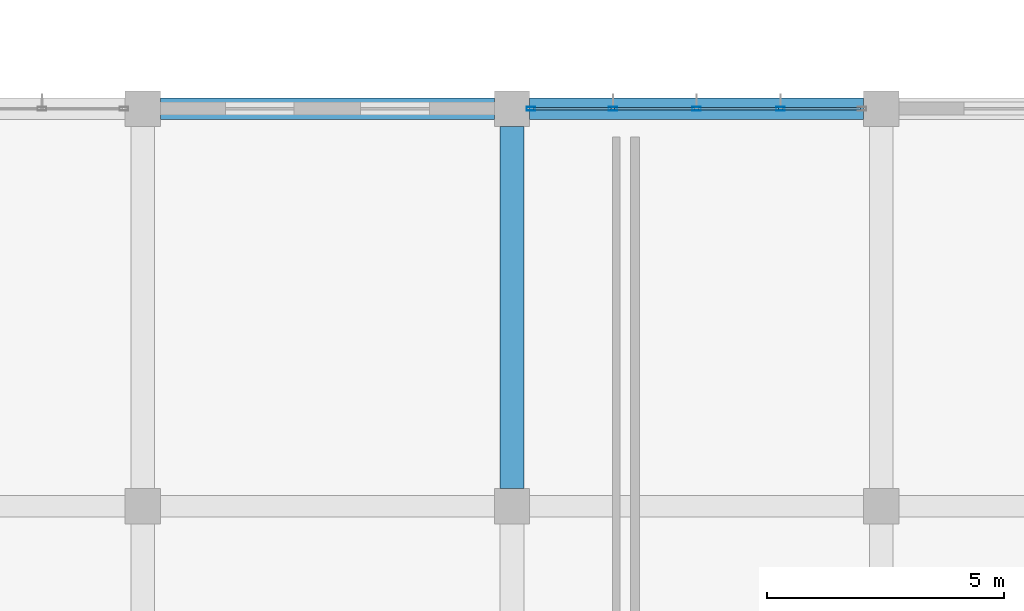
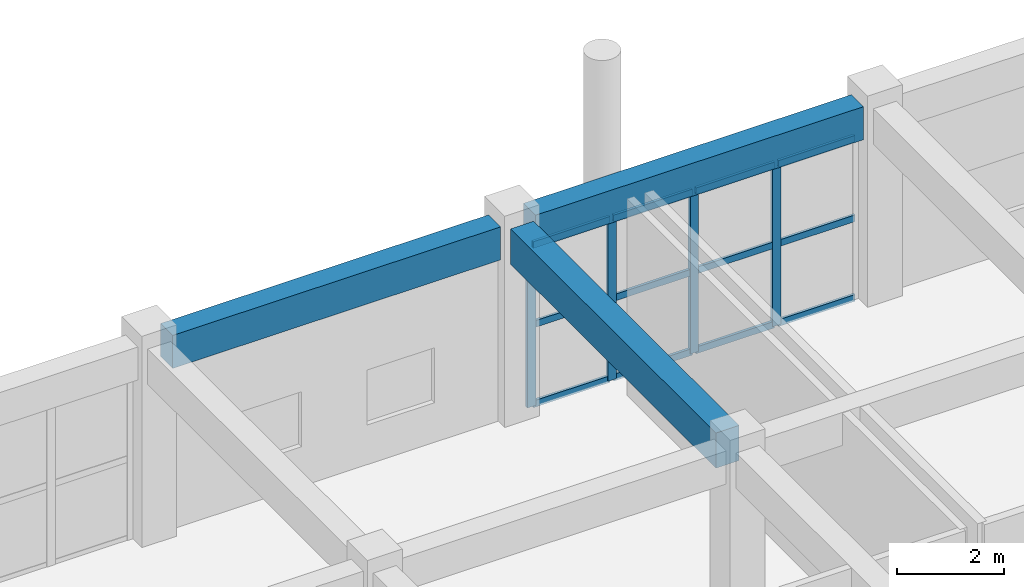
# One storey, part 125 of 175: 16 members, 3 beams, 1 element without a shape of its own.
"""IFC4 building model written with IfcOpenShell, lengths in metres."""

import ifcopenshell
import ifcopenshell.guid

model = None  # the IFC model being written
_history = None  # IfcOwnerHistory: only IFC2X3 demands one
_inside = {}  # id of a spatial element -> (the spatial element, [elements in it])
_under = {}  # id of a project, library or spatial element -> (it, [spatial elements below it])
_declared = {}  # id of a project -> (the project, [libraries it declares])
_typed = {}  # id of a type object -> (the type object, [elements of that type])
_made_of = {}  # id of a material, layer set ... -> (it, [elements and type objects made of it])


def new_model(schema):
    """Start an empty IFC model of exactly this schema.

    Asked for "IFC4X3", IfcOpenShell would pick the latest addendum, in which some entities
    have other attributes; the version numbers below select the first issue.
    IFC2X3 requires an IfcOwnerHistory on every rooted entity: one is made here for all.
    """
    global model, _history
    if schema == "IFC4X3":
        model = ifcopenshell.file(schema_version=(4, 3, 0, 0))
    else:
        model = ifcopenshell.file(schema=schema)
    _inside.clear()
    _under.clear()
    _declared.clear()
    _typed.clear()
    _made_of.clear()
    _history = None
    if model.schema == "IFC2X3":
        org = make("IfcOrganization", Name="unknown")
        user = make(
            "IfcPersonAndOrganization",
            ThePerson=make("IfcPerson", FamilyName="unknown"),
            TheOrganization=org,
        )
        app = make(
            "IfcApplication",
            ApplicationDeveloper=org,
            Version="unknown",
            ApplicationFullName="unknown",
            ApplicationIdentifier="unknown",
        )
        _history = make(
            "IfcOwnerHistory",
            OwningUser=user,
            OwningApplication=app,
            ChangeAction="ADDED",
            CreationDate=0,
        )
    return model


def make(cls, **values):
    """One entity of the class cls with the attributes given. An attribute that is None is left unset."""
    return model.create_entity(
        cls, **{name: value for name, value in values.items() if value is not None}
    )


def rooted(cls, **values):
    """An entity with a GlobalId (a new one), such as an element, a storey or a relation."""
    return make(cls, GlobalId=ifcopenshell.guid.new(), OwnerHistory=_history, **values)


def si_unit(unit_type, name, prefix=None):
    """IfcSIUnit, for example si_unit("LENGTHUNIT", "METRE", prefix="MILLI")."""
    return make("IfcSIUnit", UnitType=unit_type, Prefix=prefix, Name=name)


def assignment(units):
    """IfcUnitAssignment: the units of a project."""
    return None if units is None else make("IfcUnitAssignment", Units=units)


def point(xyz):
    """IfcCartesianPoint."""
    return None if xyz is None else make("IfcCartesianPoint", Coordinates=xyz)


def direction(xyz):
    """IfcDirection."""
    return None if xyz is None else make("IfcDirection", DirectionRatios=xyz)


def frame(location, z_axis=None, x_axis=None):
    """IfcAxis2Placement3D, a coordinate frame: its origin and axes. An axis left out is left unset."""
    return make(
        "IfcAxis2Placement3D",
        Location=point(location),
        Axis=direction(z_axis),
        RefDirection=direction(x_axis),
    )


def frame_2d(location, x_axis=None):
    """IfcAxis2Placement2D, a coordinate frame in the plane: its origin and x axis."""
    return make(
        "IfcAxis2Placement2D", Location=point(location), RefDirection=direction(x_axis)
    )


def origin():
    """The frame at (0, 0, 0) with its axes left unset."""
    return frame((0.0, 0.0, 0.0))


def origin_2d():
    """The frame at (0, 0) in the plane with its x axis left unset."""
    return frame_2d((0.0, 0.0))


def place(relative_to, where):
    """IfcLocalPlacement: puts the frame where relative to a parent placement (None: the world)."""
    return make(
        "IfcLocalPlacement", PlacementRelTo=relative_to, RelativePlacement=where
    )


def context(
    kind, dimensions, precision=None, world=None, true_north=None, identifier=None
):
    """IfcGeometricRepresentationContext, for example the 3D "Model" context."""
    return make(
        "IfcGeometricRepresentationContext",
        ContextIdentifier=identifier,
        ContextType=kind,
        CoordinateSpaceDimension=dimensions,
        Precision=precision,
        WorldCoordinateSystem=world,
        TrueNorth=true_north,
    )


def subcontext(parent, identifier, kind, view, scale=None):
    """IfcGeometricRepresentationSubContext, for example "Body" below "Model"."""
    return make(
        "IfcGeometricRepresentationSubContext",
        ContextIdentifier=identifier,
        ContextType=kind,
        ParentContext=parent,
        TargetScale=scale,
        TargetView=view,
    )


def project(units=None, contexts=None):
    """IfcProject with its units and contexts."""
    return rooted(
        "IfcProject",
        Name="project",
        RepresentationContexts=contexts,
        UnitsInContext=assignment(units),
    )


def spatial(cls, under=None, at=None, **own):
    """A site, building, storey or space (cls), placed at a placement, below another one or the project."""
    s = rooted(cls, ObjectPlacement=at, **own)
    if under is not None:
        _under.setdefault(under.id(), (under, []))[1].append(s)
    return s


def profile(cls, at=None, kind="AREA", **sizes):
    """A parametric profile (cls). Its sizes go by their IFC names, for example OverallWidth=200.0."""
    return make(cls, ProfileType=kind, Position=at, **sizes)


def rectangle(**sizes):
    """IfcRectangleProfileDef."""
    return profile("IfcRectangleProfileDef", **sizes)


def hollow_rectangle(**sizes):
    """IfcRectangleHollowProfileDef."""
    return profile("IfcRectangleHollowProfileDef", **sizes)


def extrude(swept, where, along, depth):
    """IfcExtrudedAreaSolid: the profile swept, set in the frame where, extruded along a direction by depth."""
    return make(
        "IfcExtrudedAreaSolid",
        SweptArea=swept,
        Position=where,
        ExtrudedDirection=direction(along),
        Depth=depth,
    )


def shape(context_of_items, identifier, shape_type, items):
    """IfcShapeRepresentation: the items that make up one representation, for example the "Body"."""
    return make(
        "IfcShapeRepresentation",
        ContextOfItems=context_of_items,
        RepresentationIdentifier=identifier,
        RepresentationType=shape_type,
        Items=items,
    )


def material(Name=None, Category=None):
    """IfcMaterial."""
    return make("IfcMaterial", Name=Name, Category=Category)


def layer(
    of_material, thickness, ventilated=None, Name=None, Category=None, Priority=None
):
    """IfcMaterialLayer: one layer of a wall or slab, of a material (None: an air gap)."""
    return make(
        "IfcMaterialLayer",
        Material=of_material,
        LayerThickness=thickness,
        IsVentilated=ventilated,
        Name=Name,
        Category=Category,
        Priority=Priority,
    )


def layer_set(layers, Name=None):
    """IfcMaterialLayerSet."""
    return make("IfcMaterialLayerSet", MaterialLayers=layers, LayerSetName=Name)


def material_profile(
    of_material, cross_section, Name=None, Category=None, Priority=None
):
    """IfcMaterialProfile: a cross section and its material."""
    return make(
        "IfcMaterialProfile",
        Name=Name,
        Material=of_material,
        Profile=cross_section,
        Priority=Priority,
        Category=Category,
    )


def profile_set(profiles, Name=None, composite=None):
    """IfcMaterialProfileSet."""
    return make(
        "IfcMaterialProfileSet",
        Name=Name,
        MaterialProfiles=profiles,
        CompositeProfile=composite,
    )


def made_of(thing, what):
    """Note that an element or type object is made of a material, layer set ...; save() writes the relation."""
    if what is not None:
        _made_of.setdefault(what.id(), (what, []))[1].append(thing)
    return thing


def type_object(cls, material=None, **own):
    """A type object (cls), such as IfcWallType, which elements share."""
    return made_of(rooted(cls, **own), material)


def element(
    cls,
    number,
    at=None,
    inside=None,
    cuts=None,
    type_object=None,
    material=None,
    context=None,
    identifier="Body",
    shape_type=None,
    held_by="IfcProductDefinitionShape",
    body=None,
    shapes=None,
    **own,
):
    """One element of the class cls, such as IfcWall. Its Tag is "e" and its number.

    at: its placement. inside: the storey or other place that contains it. cuts: it is an
    opening in that element (IfcRelVoidsElement). A single representation is given by context,
    identifier, shape_type and body (its items); several are given by shapes. held_by: the class
    of the entity that holds the representations. save() writes the other relations.
    """
    e = rooted(cls, Tag="e%d" % number, ObjectPlacement=at, **own)
    if body is not None:
        shapes = [shape(context, identifier, shape_type, body)]
    if shapes is not None:
        e.Representation = make(held_by, Representations=shapes)
    if inside is not None:
        _inside.setdefault(inside.id(), (inside, []))[1].append(e)
    if cuts is not None:
        rooted(
            "IfcRelVoidsElement", RelatingBuildingElement=cuts, RelatedOpeningElement=e
        )
    if type_object is not None:
        _typed.setdefault(type_object.id(), (type_object, []))[1].append(e)
    return made_of(e, material)


def aggregate(whole, parts):
    """IfcRelAggregates: a whole, such as a stair, and the parts it consists of."""
    return rooted("IfcRelAggregates", RelatingObject=whole, RelatedObjects=parts)


def save(model, path):
    """Write the relations noted so far, then the file.

    IfcRelAggregates (storeys below a building ...), IfcRelContainedInSpatialStructure (elements
    in a storey), IfcRelDefinesByType, IfcRelAssociatesMaterial and IfcRelDeclares: one each for
    every whole, place, type object, material and project.
    """
    for whole, parts in _under.values():
        aggregate(whole, parts)
    for where, things in _inside.values():
        rooted(
            "IfcRelContainedInSpatialStructure",
            RelatedElements=things,
            RelatingStructure=where,
        )
    for kind, things in _typed.values():
        rooted("IfcRelDefinesByType", RelatedObjects=things, RelatingType=kind)
    for what, things in _made_of.values():
        rooted("IfcRelAssociatesMaterial", RelatedObjects=things, RelatingMaterial=what)
    for by, libraries in _declared.values():
        rooted("IfcRelDeclares", RelatingContext=by, RelatedDefinitions=libraries)
    model.write(path)


model = new_model("IFC4")

# Units and contexts
model_context = context("Model", 3, precision=1e-05, world=origin(), true_north=direction((0.0, 1.0)))
body_context = subcontext(model_context, "Body", "Model", "MODEL_VIEW")
ifc_project = project(units=[si_unit("LENGTHUNIT", "METRE"), si_unit("AREAUNIT", "SQUARE_METRE"), si_unit("VOLUMEUNIT", "CUBIC_METRE"), si_unit("PLANEANGLEUNIT", "RADIAN"), si_unit("MASSUNIT", "GRAM", prefix="KILO")], contexts=[model_context])

# Site, building, storey
site_placement = place(None, origin())
site = spatial("IfcSite", under=ifc_project, at=site_placement, CompositionType="ELEMENT")
building_placement = place(site_placement, origin())
building = spatial("IfcBuilding", under=site, at=building_placement, Name="Zizhar Promenade General Hospital", CompositionType="ELEMENT")
storey_placement = place(building_placement, frame((0.0, 0.0, 4.800048828125)))
storey = spatial("IfcBuildingStorey", under=building, at=storey_placement, Name="L01", CompositionType="ELEMENT", Elevation=4.800048828125)

# Beams
ifc_material_1 = material(Name="Concrete C35/45", Category="concrete")
ifc_material_profile_1 = material_profile(ifc_material_1, rectangle(XDim=0.449951171875, YDim=0.75, at=origin_2d()))
ifc_profile_set_1 = profile_set([ifc_material_profile_1], Name="Concrete C35/45")
beam_type_1 = type_object("IfcBeamType", Name="BM-RC-450x750", PredefinedType="BEAM", material=ifc_profile_set_1)
for number, where, z_axis, x_axis, name in (
    (1, (78.375, 134.39990234375, 4.094970703125), (1.0, 0.0, 0.0), (0.0, 1.0, 0.0), "Grid Beam X L01 (10-16)"),
    (2, (86.175048828125, 134.39990234375, 4.094970703125), (1.0, 0.0, 0.0), (0.0, 1.0, 0.0), "Grid Beam X L01 (11-16)"),
):
    element("IfcBeam", number, at=place(storey_placement, frame(where, z_axis=z_axis, x_axis=x_axis)), inside=storey, type_object=beam_type_1, Name=name, PredefinedType="BEAM", context=body_context, shape_type="SweptSolid", body=[
        extrude(rectangle(XDim=0.449951171875, YDim=0.75, at=origin_2d()), origin(), (0.0, 0.0, 1.0), 7.050048828125),
    ])
ifc_material_2 = material(Name="Concrete C35/45", Category="concrete")
ifc_material_profile_2 = material_profile(ifc_material_2, rectangle(XDim=0.5, YDim=0.800048828125, at=origin_2d()))
ifc_profile_set_2 = profile_set([ifc_material_profile_2], Name="Concrete C35/45")
beam_type_2 = type_object("IfcBeamType", Name="BM-RC-500x800", PredefinedType="BEAM", material=ifc_profile_set_2)
beam_placement = place(storey_placement, frame((85.800048828125, 126.375, 4.070068359375), z_axis=(0.0, 1.0, 0.0), x_axis=(-1.0, 0.0, 0.0)))
element("IfcBeam", 3, at=beam_placement, inside=storey, type_object=beam_type_2, Name="Grid Beam Y L01 (11-15)", PredefinedType="BEAM", context=body_context, shape_type="SweptSolid", body=[
    extrude(rectangle(XDim=0.5, YDim=0.800048828125, at=origin_2d()), origin(), (0.0, 0.0, 1.0), 7.64990234375),
])

# Curtain wall, members
ifc_material_3 = material(Name="Anodised aluminium 6063-T6 and low-E glass", Category="aluminium")
ifc_layer = layer(ifc_material_3, 0.159912109375)
ifc_layer_set = layer_set([ifc_layer], Name="Anodised aluminium 6063-T6 and low-E glass")
curtain_wall_type = type_object("IfcCurtainWallType", Name="CW-DT-MOD2", PredefinedType="NOTDEFINED", material=ifc_layer_set)
curtain_wall_placement = place(storey_placement, origin())
curtain_wall = element("IfcCurtainWall", 4, at=curtain_wall_placement, inside=storey, type_object=curtain_wall_type, Name="Surgical North Glazed Curtain Wall L01-11", PredefinedType="NOTDEFINED")
ifc_material_4 = material(Name="Anodised aluminium 6063-T6", Category="aluminium")
ifc_material_profile_3 = material_profile(ifc_material_4, hollow_rectangle(XDim=0.080078125, YDim=0.179931640625, WallThickness=0.0048828125, at=origin_2d()))
ifc_profile_set_3 = profile_set([ifc_material_profile_3], Name="Anodised aluminium 6063-T6")
member_type_1 = type_object("IfcMemberType", Name="CWM-ALU-180x80", PredefinedType="MULLION", material=ifc_profile_set_3)
member_1_placement = place(storey_placement, frame((86.199951171875, 134.39990234375, 0.0), z_axis=(0.0, 0.0, 1.0), x_axis=(0.0, 1.0, 0.0)))
member_1 = element("IfcMember", 5, at=member_1_placement, type_object=member_type_1, Name="CW-08 mullion 1", PredefinedType="MULLION", context=body_context, shape_type="SweptSolid", body=[
    extrude(hollow_rectangle(XDim=0.080078125, YDim=0.179931640625, WallThickness=0.0048828125, at=origin_2d()), origin(), (0.0, 0.0, 1.0), 3.679931640625),
])
member_2_placement = place(storey_placement, frame((87.929931640625, 134.39990234375, 0.0), z_axis=(0.0, 0.0, 1.0), x_axis=(0.0, 1.0, 0.0)))
member_2 = element("IfcMember", 6, at=member_2_placement, type_object=member_type_1, Name="CW-08 mullion 2", PredefinedType="MULLION", context=body_context, shape_type="SweptSolid", body=[
    extrude(hollow_rectangle(XDim=0.080078125, YDim=0.179931640625, WallThickness=0.0048828125, at=origin_2d()), origin(), (0.0, 0.0, 1.0), 3.679931640625),
])
member_3_placement = place(storey_placement, frame((89.699951171875, 134.39990234375, 0.0), z_axis=(0.0, 0.0, 1.0), x_axis=(0.0, 1.0, 0.0)))
member_3 = element("IfcMember", 7, at=member_3_placement, type_object=member_type_1, Name="CW-08 mullion 3", PredefinedType="MULLION", context=body_context, shape_type="SweptSolid", body=[
    extrude(hollow_rectangle(XDim=0.080078125, YDim=0.179931640625, WallThickness=0.0048828125, at=origin_2d()), origin(), (0.0, 0.0, 1.0), 3.679931640625),
])
member_4_placement = place(storey_placement, frame((91.469970703125, 134.39990234375, 0.0), z_axis=(0.0, 0.0, 1.0), x_axis=(0.0, 1.0, 0.0)))
member_4 = element("IfcMember", 8, at=member_4_placement, type_object=member_type_1, Name="CW-08 mullion 4", PredefinedType="MULLION", context=body_context, shape_type="SweptSolid", body=[
    extrude(hollow_rectangle(XDim=0.080078125, YDim=0.179931640625, WallThickness=0.0048828125, at=origin_2d()), origin(), (0.0, 0.0, 1.0), 3.679931640625),
])
ifc_material_5 = material(Name="Anodised aluminium 6063-T6", Category="aluminium")
ifc_material_profile_4 = material_profile(ifc_material_5, hollow_rectangle(XDim=0.06005859375, YDim=0.14990234375, WallThickness=0.00390625, at=origin_2d()))
ifc_profile_set_4 = profile_set([ifc_material_profile_4], Name="Anodised aluminium 6063-T6")
member_type_2 = type_object("IfcMemberType", Name="CWT-ALU-150x60", PredefinedType="USERDEFINED", material=ifc_profile_set_4)
member_5_placement = place(storey_placement, frame((86.239990234375, 134.39990234375, 0.030029296875), z_axis=(1.0, 0.0, 0.0), x_axis=(0.0, 1.0, 0.0)))
member_5 = element("IfcMember", 9, at=member_5_placement, type_object=member_type_2, Name="CW-08 transom 1.1", ObjectType="TRANSOM", PredefinedType="USERDEFINED", context=body_context, shape_type="SweptSolid", body=[
    extrude(hollow_rectangle(XDim=0.06005859375, YDim=0.14990234375, WallThickness=0.00390625, at=origin_2d()), origin(), (0.0, 0.0, 1.0), 1.64990234375),
])
member_6_placement = place(storey_placement, frame((86.239990234375, 134.39990234375, 1.83984375), z_axis=(1.0, 0.0, 0.0), x_axis=(0.0, 1.0, 0.0)))
member_6 = element("IfcMember", 10, at=member_6_placement, type_object=member_type_2, Name="CW-08 transom 1.2", ObjectType="TRANSOM", PredefinedType="USERDEFINED", context=body_context, shape_type="SweptSolid", body=[
    extrude(hollow_rectangle(XDim=0.06005859375, YDim=0.14990234375, WallThickness=0.00390625, at=origin_2d()), origin(), (0.0, 0.0, 1.0), 1.64990234375),
])
member_7_placement = place(storey_placement, frame((86.239990234375, 134.39990234375, 3.64990234375), z_axis=(1.0, 0.0, 0.0), x_axis=(0.0, 1.0, 0.0)))
member_7 = element("IfcMember", 11, at=member_7_placement, type_object=member_type_2, Name="CW-08 transom 1.3", ObjectType="TRANSOM", PredefinedType="USERDEFINED", context=body_context, shape_type="SweptSolid", body=[
    extrude(hollow_rectangle(XDim=0.06005859375, YDim=0.14990234375, WallThickness=0.00390625, at=origin_2d()), origin(), (0.0, 0.0, 1.0), 1.64990234375),
])
member_8_placement = place(storey_placement, frame((87.969970703125, 134.39990234375, 0.030029296875), z_axis=(1.0, 0.0, 0.0), x_axis=(0.0, 1.0, 0.0)))
member_8 = element("IfcMember", 12, at=member_8_placement, type_object=member_type_2, Name="CW-08 transom 2.1", ObjectType="TRANSOM", PredefinedType="USERDEFINED", context=body_context, shape_type="SweptSolid", body=[
    extrude(hollow_rectangle(XDim=0.06005859375, YDim=0.14990234375, WallThickness=0.00390625, at=origin_2d()), origin(), (0.0, 0.0, 1.0), 1.68994140625),
])
member_9_placement = place(storey_placement, frame((87.969970703125, 134.39990234375, 1.83984375), z_axis=(1.0, 0.0, 0.0), x_axis=(0.0, 1.0, 0.0)))
member_9 = element("IfcMember", 13, at=member_9_placement, type_object=member_type_2, Name="CW-08 transom 2.2", ObjectType="TRANSOM", PredefinedType="USERDEFINED", context=body_context, shape_type="SweptSolid", body=[
    extrude(hollow_rectangle(XDim=0.06005859375, YDim=0.14990234375, WallThickness=0.00390625, at=origin_2d()), origin(), (0.0, 0.0, 1.0), 1.68994140625),
])
member_10_placement = place(storey_placement, frame((87.969970703125, 134.39990234375, 3.64990234375), z_axis=(1.0, 0.0, 0.0), x_axis=(0.0, 1.0, 0.0)))
member_10 = element("IfcMember", 14, at=member_10_placement, type_object=member_type_2, Name="CW-08 transom 2.3", ObjectType="TRANSOM", PredefinedType="USERDEFINED", context=body_context, shape_type="SweptSolid", body=[
    extrude(hollow_rectangle(XDim=0.06005859375, YDim=0.14990234375, WallThickness=0.00390625, at=origin_2d()), origin(), (0.0, 0.0, 1.0), 1.68994140625),
])
member_11_placement = place(storey_placement, frame((89.739990234375, 134.39990234375, 0.030029296875), z_axis=(1.0, 0.0, 0.0), x_axis=(0.0, 1.0, 0.0)))
member_11 = element("IfcMember", 15, at=member_11_placement, type_object=member_type_2, Name="CW-08 transom 3.1", ObjectType="TRANSOM", PredefinedType="USERDEFINED", context=body_context, shape_type="SweptSolid", body=[
    extrude(hollow_rectangle(XDim=0.06005859375, YDim=0.14990234375, WallThickness=0.00390625, at=origin_2d()), origin(), (0.0, 0.0, 1.0), 1.68994140625),
])
member_12_placement = place(storey_placement, frame((89.739990234375, 134.39990234375, 1.83984375), z_axis=(1.0, 0.0, 0.0), x_axis=(0.0, 1.0, 0.0)))
member_12 = element("IfcMember", 16, at=member_12_placement, type_object=member_type_2, Name="CW-08 transom 3.2", ObjectType="TRANSOM", PredefinedType="USERDEFINED", context=body_context, shape_type="SweptSolid", body=[
    extrude(hollow_rectangle(XDim=0.06005859375, YDim=0.14990234375, WallThickness=0.00390625, at=origin_2d()), origin(), (0.0, 0.0, 1.0), 1.68994140625),
])
member_13_placement = place(storey_placement, frame((89.739990234375, 134.39990234375, 3.64990234375), z_axis=(1.0, 0.0, 0.0), x_axis=(0.0, 1.0, 0.0)))
member_13 = element("IfcMember", 17, at=member_13_placement, type_object=member_type_2, Name="CW-08 transom 3.3", ObjectType="TRANSOM", PredefinedType="USERDEFINED", context=body_context, shape_type="SweptSolid", body=[
    extrude(hollow_rectangle(XDim=0.06005859375, YDim=0.14990234375, WallThickness=0.00390625, at=origin_2d()), origin(), (0.0, 0.0, 1.0), 1.68994140625),
])
member_14_placement = place(storey_placement, frame((91.510009765625, 134.39990234375, 0.030029296875), z_axis=(1.0, 0.0, 0.0), x_axis=(0.0, 1.0, 0.0)))
member_14 = element("IfcMember", 18, at=member_14_placement, type_object=member_type_2, Name="CW-08 transom 4.1", ObjectType="TRANSOM", PredefinedType="USERDEFINED", context=body_context, shape_type="SweptSolid", body=[
    extrude(hollow_rectangle(XDim=0.06005859375, YDim=0.14990234375, WallThickness=0.00390625, at=origin_2d()), origin(), (0.0, 0.0, 1.0), 1.64990234375),
])
member_15_placement = place(storey_placement, frame((91.510009765625, 134.39990234375, 1.83984375), z_axis=(1.0, 0.0, 0.0), x_axis=(0.0, 1.0, 0.0)))
member_15 = element("IfcMember", 19, at=member_15_placement, type_object=member_type_2, Name="CW-08 transom 4.2", ObjectType="TRANSOM", PredefinedType="USERDEFINED", context=body_context, shape_type="SweptSolid", body=[
    extrude(hollow_rectangle(XDim=0.06005859375, YDim=0.14990234375, WallThickness=0.00390625, at=origin_2d()), origin(), (0.0, 0.0, 1.0), 1.64990234375),
])
member_16_placement = place(storey_placement, frame((91.510009765625, 134.39990234375, 3.64990234375), z_axis=(1.0, 0.0, 0.0), x_axis=(0.0, 1.0, 0.0)))
member_16 = element("IfcMember", 20, at=member_16_placement, type_object=member_type_2, Name="CW-08 transom 4.3", ObjectType="TRANSOM", PredefinedType="USERDEFINED", context=body_context, shape_type="SweptSolid", body=[
    extrude(hollow_rectangle(XDim=0.06005859375, YDim=0.14990234375, WallThickness=0.00390625, at=origin_2d()), origin(), (0.0, 0.0, 1.0), 1.64990234375),
])
aggregate(curtain_wall, [member_1, member_2, member_3, member_4, member_5, member_6, member_7, member_8, member_9, member_10, member_11, member_12, member_13, member_14, member_15, member_16])

save(model, "model.ifc")
